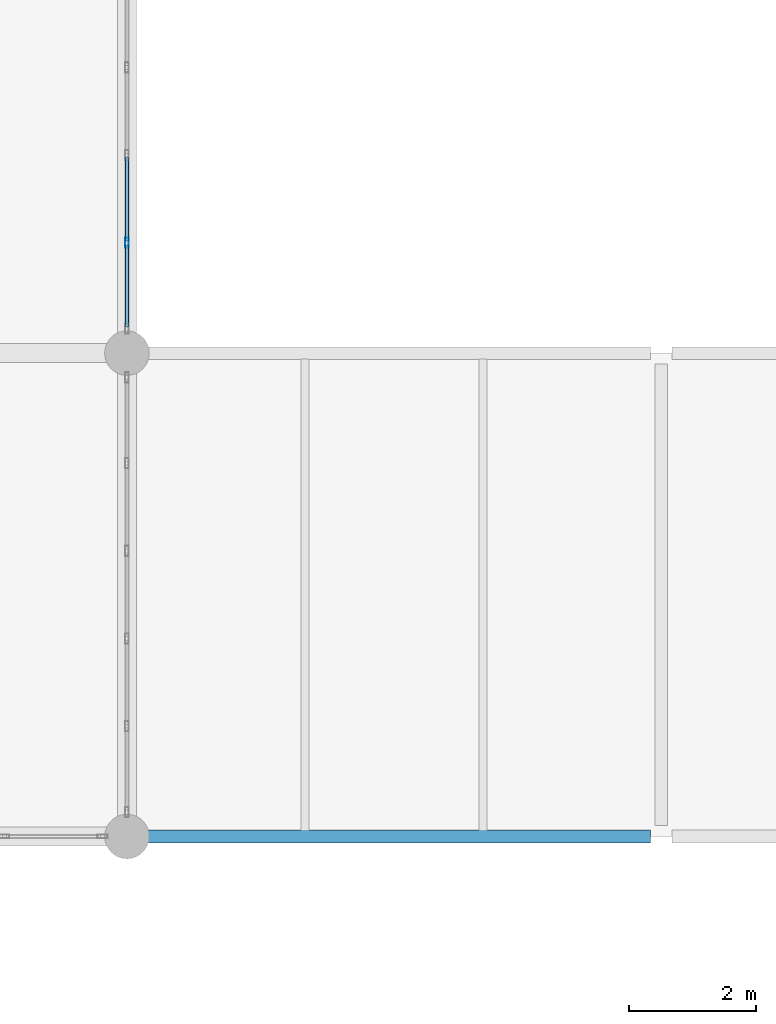
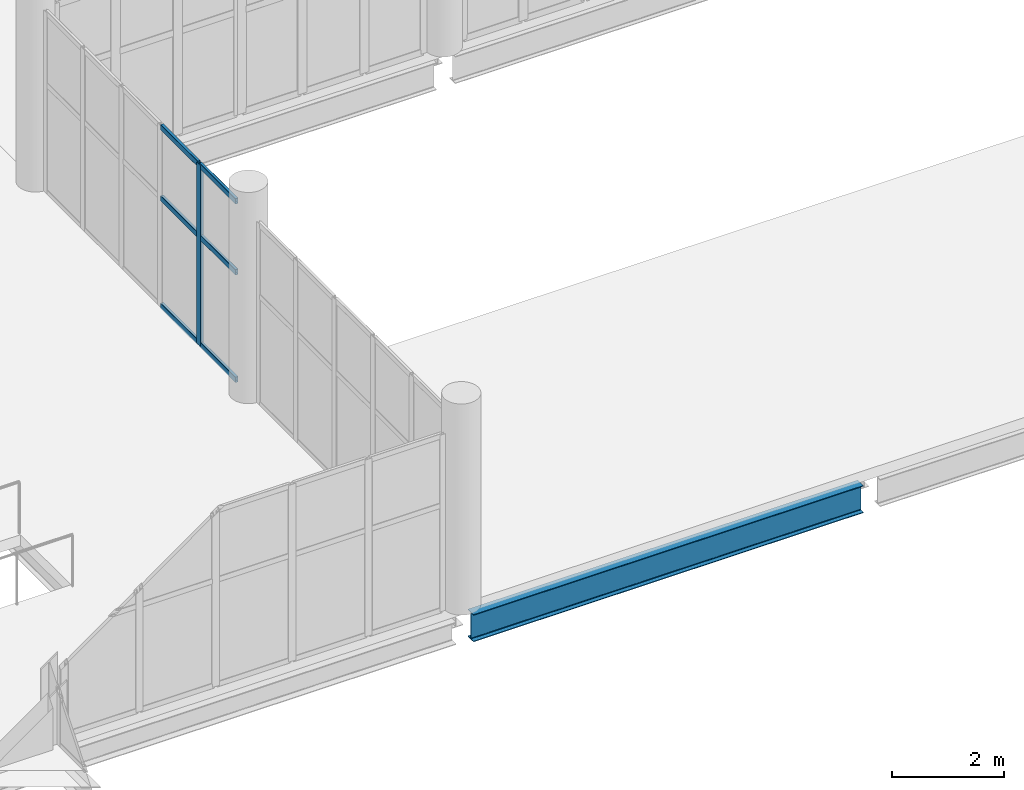
# One storey, part 33 of 136: 7 members, 1 beam, 1 element without a shape of its own.
"""IFC4 building model written with IfcOpenShell, lengths in metres."""

from ifc_helpers import new_model, si_unit, direction, frame, origin, origin_2d, place, context, subcontext, project, spatial, hollow_rectangle, i_section, extrude, material, material_profile, profile_set, type_object, element, aggregate, save


model = new_model("IFC4")

# Units and contexts
model_context = context("Model", 3, precision=1e-05, world=origin(), true_north=direction((0.0, 1.0)))
body_context = subcontext(model_context, "Body", "Model", "MODEL_VIEW")
ifc_project = project(units=[si_unit("LENGTHUNIT", "METRE"), si_unit("AREAUNIT", "SQUARE_METRE"), si_unit("VOLUMEUNIT", "CUBIC_METRE"), si_unit("PLANEANGLEUNIT", "RADIAN"), si_unit("MASSUNIT", "GRAM", prefix="KILO")], contexts=[model_context])

# Site, building, storey
site_placement = place(None, origin())
site = spatial("IfcSite", under=ifc_project, at=site_placement, CompositionType="ELEMENT")
building_placement = place(site_placement, origin())
building = spatial("IfcBuilding", under=site, at=building_placement, Name="Shengluoqiao Park Theatre", CompositionType="ELEMENT")
storey_placement = place(building_placement, frame((0.0, 0.0, 10.0)))
storey = spatial("IfcBuildingStorey", under=building, at=storey_placement, Name="L02", CompositionType="ELEMENT", Elevation=10.0)

# Curtain wall, members
ifc_material_1 = material(Name="Aluminium 6063-T6", Category="aluminium")
curtain_wall_type = type_object("IfcCurtainWallType", Name="ENV-CW-COURT", PredefinedType="NOTDEFINED", material=ifc_material_1)
curtain_wall_placement = place(storey_placement, origin())
curtain_wall = element("IfcCurtainWall", 1, at=curtain_wall_placement, inside=storey, type_object=curtain_wall_type, Name="L02 Curtain Wall CWX-L02-0216", PredefinedType="NOTDEFINED")
ifc_material_profile_1 = material_profile(ifc_material_1, hollow_rectangle(XDim=0.06005859375, YDim=0.159912109375, WallThickness=0.00390625, InnerFilletRadius=0.00390625, OuterFilletRadius=0.008056640625, at=origin_2d()), Name="ALU MULLION 160x60x4")
ifc_profile_set_1 = profile_set([ifc_material_profile_1], Name="Aluminium 6063-T6")
member_type_1 = type_object("IfcMemberType", Name="ENV-MUL-160", PredefinedType="MULLION", material=ifc_profile_set_1)
member_1_placement = place(storey_placement, frame((44.39990234375, 62.532470703125, 0.0), z_axis=(0.0, 0.0, 1.0), x_axis=(-1.0, 0.0, 0.0)))
member_1 = element("IfcMember", 2, at=member_1_placement, type_object=member_type_1, Name="CW-05 mullion 2", PredefinedType="MULLION", context=body_context, shape_type="SweptSolid", body=[
    extrude(hollow_rectangle(XDim=0.06005859375, YDim=0.159912109375, WallThickness=0.00390625, InnerFilletRadius=0.00390625, OuterFilletRadius=0.008056640625, at=origin_2d()), origin(), (0.0, 0.0, 1.0), 3.947998046875),
])
ifc_material_profile_2 = material_profile(ifc_material_1, hollow_rectangle(XDim=0.06005859375, YDim=0.1201171875, WallThickness=0.00390625, InnerFilletRadius=0.00390625, OuterFilletRadius=0.008056640625, at=origin_2d()), Name="ALU TRANSOM 120x60x4")
ifc_profile_set_2 = profile_set([ifc_material_profile_2], Name="Aluminium 6063-T6")
member_type_2 = type_object("IfcMemberType", Name="ENV-TRN-120", PredefinedType="USERDEFINED", material=ifc_profile_set_2)
member_2_placement = place(storey_placement, frame((44.39990234375, 61.214111328125, 0.030029296875), z_axis=(0.0, 1.0, 0.0), x_axis=(-1.0, 0.0, 0.0)))
member_2 = element("IfcMember", 3, at=member_2_placement, type_object=member_type_2, Name="CW-05 transom 1.1", ObjectType="TRANSOM", PredefinedType="USERDEFINED", context=body_context, shape_type="SweptSolid", body=[
    extrude(hollow_rectangle(XDim=0.06005859375, YDim=0.1201171875, WallThickness=0.00390625, InnerFilletRadius=0.00390625, OuterFilletRadius=0.008056640625, at=origin_2d()), origin(), (0.0, 0.0, 1.0), 1.288330078125),
])
member_3_placement = place(storey_placement, frame((44.39990234375, 61.214111328125, 2.368896484375), z_axis=(0.0, 1.0, 0.0), x_axis=(-1.0, 0.0, 0.0)))
member_3 = element("IfcMember", 4, at=member_3_placement, type_object=member_type_2, Name="CW-05 transom 1.2", ObjectType="TRANSOM", PredefinedType="USERDEFINED", context=body_context, shape_type="SweptSolid", body=[
    extrude(hollow_rectangle(XDim=0.06005859375, YDim=0.1201171875, WallThickness=0.00390625, InnerFilletRadius=0.00390625, OuterFilletRadius=0.008056640625, at=origin_2d()), origin(), (0.0, 0.0, 1.0), 1.288330078125),
])
member_4_placement = place(storey_placement, frame((44.39990234375, 61.214111328125, 3.91796875), z_axis=(0.0, 1.0, 0.0), x_axis=(-1.0, 0.0, 0.0)))
member_4 = element("IfcMember", 5, at=member_4_placement, type_object=member_type_2, Name="CW-05 transom 1.3", ObjectType="TRANSOM", PredefinedType="USERDEFINED", context=body_context, shape_type="SweptSolid", body=[
    extrude(hollow_rectangle(XDim=0.06005859375, YDim=0.1201171875, WallThickness=0.00390625, InnerFilletRadius=0.00390625, OuterFilletRadius=0.008056640625, at=origin_2d()), origin(), (0.0, 0.0, 1.0), 1.288330078125),
])
member_5_placement = place(storey_placement, frame((44.39990234375, 62.5625, 0.030029296875), z_axis=(0.0, 1.0, 0.0), x_axis=(-1.0, 0.0, 0.0)))
member_5 = element("IfcMember", 6, at=member_5_placement, type_object=member_type_2, Name="CW-05 transom 2.1", ObjectType="TRANSOM", PredefinedType="USERDEFINED", context=body_context, shape_type="SweptSolid", body=[
    extrude(hollow_rectangle(XDim=0.06005859375, YDim=0.1201171875, WallThickness=0.00390625, InnerFilletRadius=0.00390625, OuterFilletRadius=0.008056640625, at=origin_2d()), origin(), (0.0, 0.0, 1.0), 1.318359375),
])
member_6_placement = place(storey_placement, frame((44.39990234375, 62.5625, 2.368896484375), z_axis=(0.0, 1.0, 0.0), x_axis=(-1.0, 0.0, 0.0)))
member_6 = element("IfcMember", 7, at=member_6_placement, type_object=member_type_2, Name="CW-05 transom 2.2", ObjectType="TRANSOM", PredefinedType="USERDEFINED", context=body_context, shape_type="SweptSolid", body=[
    extrude(hollow_rectangle(XDim=0.06005859375, YDim=0.1201171875, WallThickness=0.00390625, InnerFilletRadius=0.00390625, OuterFilletRadius=0.008056640625, at=origin_2d()), origin(), (0.0, 0.0, 1.0), 1.318359375),
])
member_7_placement = place(storey_placement, frame((44.39990234375, 62.5625, 3.91796875), z_axis=(0.0, 1.0, 0.0), x_axis=(-1.0, 0.0, 0.0)))
member_7 = element("IfcMember", 8, at=member_7_placement, type_object=member_type_2, Name="CW-05 transom 2.3", ObjectType="TRANSOM", PredefinedType="USERDEFINED", context=body_context, shape_type="SweptSolid", body=[
    extrude(hollow_rectangle(XDim=0.06005859375, YDim=0.1201171875, WallThickness=0.00390625, InnerFilletRadius=0.00390625, OuterFilletRadius=0.008056640625, at=origin_2d()), origin(), (0.0, 0.0, 1.0), 1.318359375),
])
aggregate(curtain_wall, [member_1, member_2, member_3, member_4, member_5, member_6, member_7])

# Beam
ifc_material_2 = material(Name="Steel Q355", Category="steel")
ifc_material_profile_3 = material_profile(ifc_material_2, i_section(OverallWidth=0.198974609375, OverallDepth=0.595947265625, WebThickness=0.010009765625, FlangeThickness=0.014892578125, FilletRadius=0.02001953125, at=origin_2d()), Name="HN 596x199x10x15")
ifc_profile_set_3 = profile_set([ifc_material_profile_3], Name="Steel Q355")
beam_type = type_object("IfcBeamType", Name="STR-BM-SP-HN596", PredefinedType="SPANDREL", material=ifc_profile_set_3)
beam_placement = place(storey_placement, frame((44.593994140625, 53.199951171875, -0.5380859375), z_axis=(1.0, 0.0, 0.0), x_axis=(0.0, 1.0, 0.0)))
element("IfcBeam", 9, at=beam_placement, inside=storey, type_object=beam_type, Name="L02 Primary Girder 01901", PredefinedType="SPANDREL", context=body_context, shape_type="SweptSolid", body=[
    extrude(i_section(OverallWidth=0.198974609375, OverallDepth=0.595947265625, WebThickness=0.010009765625, FlangeThickness=0.014892578125, FilletRadius=0.02001953125, at=origin_2d()), origin(), (0.0, 0.0, 1.0), 8.033935546875),
])

save(model, "model.ifc")
